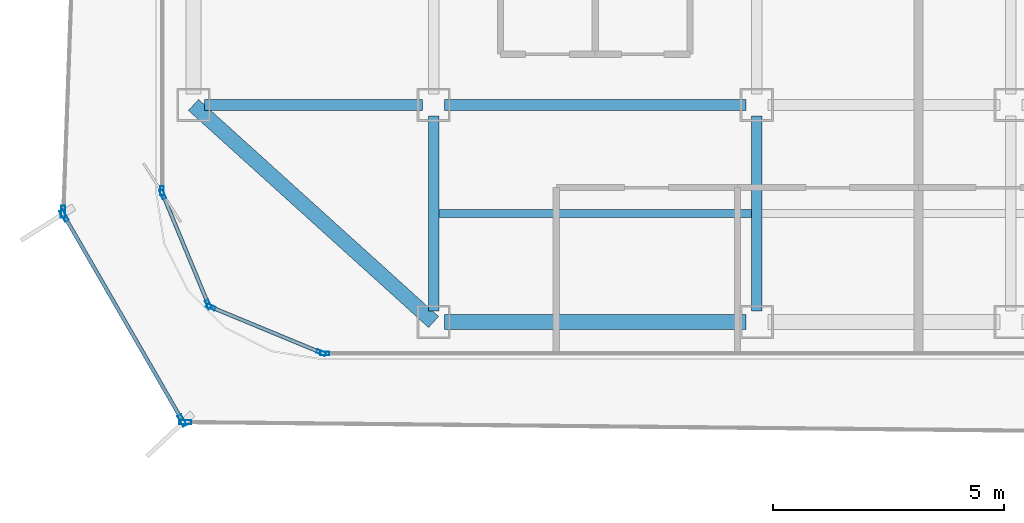
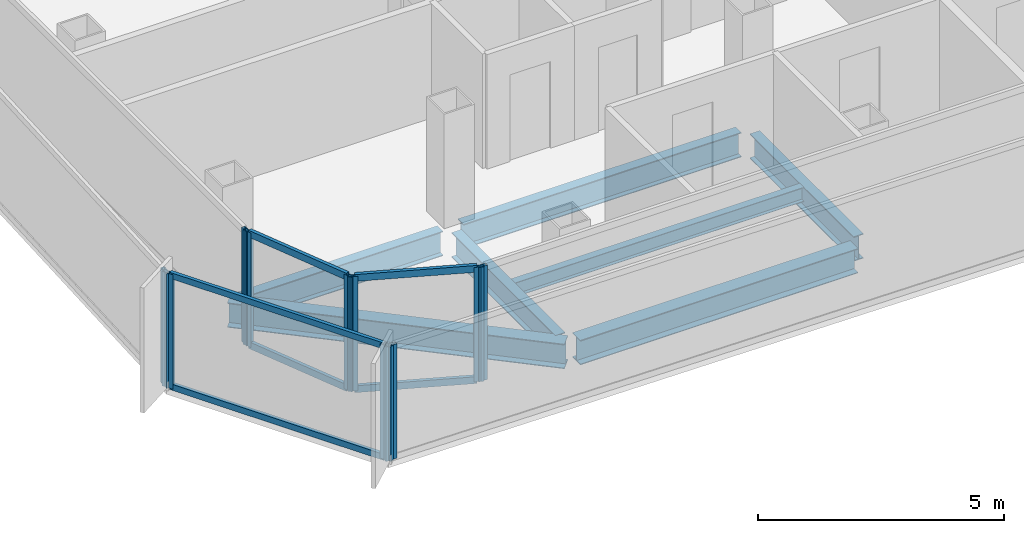
# One storey, part 2 of 16: 16 members, 7 beams, 7 elements without a shape of their own.
"""IFC4 building model written with IfcOpenShell, lengths in metres."""

from ifc_helpers import new_model, si_unit, direction, frame, origin, origin_2d, place, context, subcontext, project, spatial, hollow_rectangle, i_section, extrude, source, transform, mapped, material, layer, layer_set, material_profile, profile_set, type_object, element, aggregate, save


model = new_model("IFC4")

# Units and contexts
model_context = context("Model", 3, precision=1e-05, world=origin(), true_north=direction((0.0, 1.0)))
body_context = subcontext(model_context, "Body", "Model", "MODEL_VIEW")
ifc_project = project(units=[si_unit("LENGTHUNIT", "METRE"), si_unit("AREAUNIT", "SQUARE_METRE"), si_unit("VOLUMEUNIT", "CUBIC_METRE"), si_unit("PLANEANGLEUNIT", "RADIAN"), si_unit("MASSUNIT", "GRAM", prefix="KILO")], contexts=[model_context])

# Site, building, storey
site_placement = place(None, origin())
site = spatial("IfcSite", under=ifc_project, at=site_placement, CompositionType="ELEMENT")
building_placement = place(site_placement, origin())
building = spatial("IfcBuilding", under=site, at=building_placement, Name="Kolveth Station Tower", CompositionType="ELEMENT")
storey_placement = place(building_placement, frame((0.0, 0.0, 212.39990234375)))
storey = spatial("IfcBuildingStorey", under=building, at=storey_placement, Name="L60", CompositionType="ELEMENT", Elevation=212.39990234375)

# Beams
ifc_material_1 = material(Name="Steel S355", Category="steel")
ifc_material_profile_1 = material_profile(ifc_material_1, i_section(OverallWidth=0.323974609375, OverallDepth=0.611083984375, WebThickness=0.0126953125, FlangeThickness=0.01904296875, at=origin_2d()), Name="W610x155")
ifc_profile_set_1 = profile_set([ifc_material_profile_1], Name="Steel S355")
beam_type_1 = type_object("IfcBeamType", Name="Beam_SP2", PredefinedType="SPANDREL", material=ifc_profile_set_1)
shared_shape_1 = source(origin(), body_context, "Body", "SweptSolid", [
    extrude(i_section(OverallWidth=0.323974609375, OverallDepth=0.611083984375, WebThickness=0.0126953125, FlangeThickness=0.01904296875, at=origin_2d()), origin(), (0.0, 0.0, 1.0), 7.00927734375),
])
beam_1_placement = place(storey_placement, frame((0.800048828125, 5.5, -0.555419921875), z_axis=(0.741874009795, -0.670539300557, 0.0), x_axis=(0.670539300557, 0.741874009795, 0.0)))
element("IfcBeam", 1, at=beam_1_placement, inside=storey, type_object=beam_type_1, Name="L60 Corner Edge Girder BM-L60-CNR-SW", PredefinedType="SPANDREL", context=body_context, shape_type="MappedRepresentation", body=[
    mapped(shared_shape_1, transform((0.0, 0.0, 0.0), x_axis=(1.0, 0.0, 0.0), y_axis=(0.0, 1.0, 0.0), z_axis=(0.0, 0.0, 1.0), scale=1.0)),
])
shared_shape_2 = source(origin(), body_context, "Body", "SweptSolid", [
    extrude(i_section(OverallWidth=0.323974609375, OverallDepth=0.611083984375, WebThickness=0.0126953125, FlangeThickness=0.01904296875, at=origin_2d()), origin(), (0.0, 0.0, 1.0), 6.52001953125),
])
beam_2_placement = place(storey_placement, frame((6.239990234375, 0.800048828125, -0.555419921875), z_axis=(1.0, 0.0, 0.0), x_axis=(0.0, 1.0, 0.0)))
element("IfcBeam", 2, at=beam_2_placement, inside=storey, type_object=beam_type_1, Name="L60 Perimeter Spandrel BM-L60-PS-1", PredefinedType="SPANDREL", context=body_context, shape_type="MappedRepresentation", body=[
    mapped(shared_shape_2, transform((0.0, 0.0, 0.0), x_axis=(1.0, 0.0, 0.0), y_axis=(0.0, 1.0, 0.0), z_axis=(0.0, 0.0, 1.0), scale=1.0)),
])
ifc_material_profile_2 = material_profile(ifc_material_1, i_section(OverallWidth=0.22900390625, OverallDepth=0.612060546875, WebThickness=0.011962890625, FlangeThickness=0.01953125, at=origin_2d()), Name="W610x125")
ifc_profile_set_2 = profile_set([ifc_material_profile_2], Name="Steel S355")
beam_type_2 = type_object("IfcBeamType", Name="Beam_B5", PredefinedType="BEAM", material=ifc_profile_set_2)
shared_shape_3 = source(origin(), body_context, "Body", "SweptSolid", [
    extrude(i_section(OverallWidth=0.22900390625, OverallDepth=0.612060546875, WebThickness=0.011962890625, FlangeThickness=0.01953125, at=origin_2d()), origin(), (0.0, 0.0, 1.0), 4.719970703125),
])
beam_3_placement = place(storey_placement, frame((1.0400390625, 5.5, -0.555908203125), z_axis=(1.0, 0.0, 0.0), x_axis=(0.0, 1.0, 0.0)))
element("IfcBeam", 3, at=beam_3_placement, inside=storey, type_object=beam_type_2, Name="L60 Primary Girder BM-L60-GY55-1", PredefinedType="BEAM", context=body_context, shape_type="MappedRepresentation", body=[
    mapped(shared_shape_3, transform((0.0, 0.0, 0.0), x_axis=(1.0, 0.0, 0.0), y_axis=(0.0, 1.0, 0.0), z_axis=(0.0, 0.0, 1.0), scale=1.0)),
])
shared_shape_4 = source(origin(), body_context, "Body", "SweptSolid", [
    extrude(i_section(OverallWidth=0.22900390625, OverallDepth=0.612060546875, WebThickness=0.011962890625, FlangeThickness=0.01953125, at=origin_2d()), origin(), (0.0, 0.0, 1.0), 6.52001953125),
])
beam_4_placement = place(storey_placement, frame((6.239990234375, 5.5, -0.555908203125), z_axis=(1.0, 0.0, 0.0), x_axis=(0.0, 1.0, 0.0)))
element("IfcBeam", 4, at=beam_4_placement, inside=storey, type_object=beam_type_2, Name="L60 Primary Girder BM-L60-GY55-2", PredefinedType="BEAM", context=body_context, shape_type="MappedRepresentation", body=[
    mapped(shared_shape_4, transform((0.0, 0.0, 0.0), x_axis=(1.0, 0.0, 0.0), y_axis=(0.0, 1.0, 0.0), z_axis=(0.0, 0.0, 1.0), scale=1.0)),
])
shared_shape_5 = source(origin(), body_context, "Body", "SweptSolid", [
    extrude(i_section(OverallWidth=0.22900390625, OverallDepth=0.612060546875, WebThickness=0.011962890625, FlangeThickness=0.01953125, at=origin_2d()), origin(), (0.0, 0.0, 1.0), 4.219970703125),
])
for number, where, z_axis, x_axis, name in (
    (5, (6.0, 1.0400390625, -0.555908203125), (0.0, 1.0, 0.0), (-1.0, 0.0, 0.0), "L60 Primary Girder BM-L60-GX60-1"),
    (6, (13.0, 1.0400390625, -0.555908203125), (0.0, 1.0, 0.0), (-1.0, 0.0, 0.0), "L60 Primary Girder BM-L60-GX130-1"),
):
    element("IfcBeam", number, at=place(storey_placement, frame(where, z_axis=z_axis, x_axis=x_axis)), inside=storey, type_object=beam_type_2, Name=name, PredefinedType="BEAM", context=body_context, shape_type="MappedRepresentation", body=[
        mapped(shared_shape_5, transform((0.0, 0.0, 0.0), x_axis=(1.0, 0.0, 0.0), y_axis=(0.0, 1.0, 0.0), z_axis=(0.0, 0.0, 1.0), scale=1.0)),
    ])
ifc_material_profile_3 = material_profile(ifc_material_1, i_section(OverallWidth=0.1708984375, OverallDepth=0.35205078125, WebThickness=0.0068359375, FlangeThickness=0.009765625, at=origin_2d()), Name="W360x44")
ifc_profile_set_3 = profile_set([ifc_material_profile_3], Name="Steel S355")
beam_type_3 = type_object("IfcBeamType", Name="Beam_J2", PredefinedType="JOIST", material=ifc_profile_set_3)
shared_shape_6 = source(origin(), body_context, "Body", "SweptSolid", [
    extrude(i_section(OverallWidth=0.1708984375, OverallDepth=0.35205078125, WebThickness=0.0068359375, FlangeThickness=0.009765625, at=origin_2d()), origin(), (0.0, 0.0, 1.0), 6.77490234375),
])
beam_5_placement = place(storey_placement, frame((6.112548828125, 3.14990234375, -0.42578125), z_axis=(1.0, 0.0, 0.0), x_axis=(0.0, 1.0, 0.0)))
element("IfcBeam", 7, at=beam_5_placement, inside=storey, type_object=beam_type_3, Name="L60 Secondary Joist JST-L60-2-1", PredefinedType="JOIST", context=body_context, shape_type="MappedRepresentation", body=[
    mapped(shared_shape_6, transform((0.0, 0.0, 0.0), x_axis=(1.0, 0.0, 0.0), y_axis=(0.0, 1.0, 0.0), z_axis=(0.0, 0.0, 1.0), scale=1.0)),
])

# Curtain wall, member
ifc_material_2 = material(Name="Aluminium 6063-T6 and low-E dark glass", Category="aluminium")
ifc_layer_1 = layer(ifc_material_2, 0.18994140625)
ifc_layer_set_1 = layer_set([ifc_layer_1], Name="Aluminium 6063-T6 and low-E dark glass")
curtain_wall_type_1 = type_object("IfcCurtainWallType", Name="CurtainWall_CW-Z2", PredefinedType="NOTDEFINED", material=ifc_layer_set_1)
curtain_wall_1_placement = place(storey_placement, origin())
curtain_wall_1 = element("IfcCurtainWall", 8, at=curtain_wall_1_placement, inside=storey, type_object=curtain_wall_type_1, Name="L60 Inner Thermal Curtain Wall 9", PredefinedType="NOTDEFINED")
ifc_material_3 = material(Name="Black anodized aluminium 6063-T6", Category="aluminium")
ifc_material_profile_4 = material_profile(ifc_material_3, hollow_rectangle(XDim=0.080078125, YDim=0.199951171875, WallThickness=0.0048828125, at=origin_2d()), Name="ALU-80x200x5")
ifc_profile_set_4 = profile_set([ifc_material_profile_4], Name="Black anodized aluminium 6063-T6")
member_type_1 = type_object("IfcMemberType", Name="Mullion_ML2", PredefinedType="MULLION", material=ifc_profile_set_4)
shared_shape_7 = source(origin(), body_context, "Body", "SweptSolid", [
    extrude(hollow_rectangle(XDim=0.080078125, YDim=0.199951171875, WallThickness=0.0048828125, at=origin_2d()), origin(), (0.0, 0.0, 1.0), 2.840087890625),
])
member_1_placement = place(storey_placement, frame((0.1201171875, 3.639892578125, 0.0), z_axis=(0.0, 0.0, 1.0), x_axis=(1.0, 0.0, 0.0)))
member_1 = element("IfcMember", 9, at=member_1_placement, type_object=member_type_1, Name="CW-Z2 mullion 2", PredefinedType="MULLION", context=body_context, shape_type="MappedRepresentation", body=[
    mapped(shared_shape_7, transform((0.0, 0.0, 0.0), x_axis=(1.0, 0.0, 0.0), y_axis=(0.0, 1.0, 0.0), z_axis=(0.0, 0.0, 1.0), scale=1.0)),
])
aggregate(curtain_wall_1, [member_1])

# Curtain wall, members
curtain_wall_2_placement = place(storey_placement, origin())
curtain_wall_2 = element("IfcCurtainWall", 10, at=curtain_wall_2_placement, inside=storey, type_object=curtain_wall_type_1, Name="L60 Inner Thermal Curtain Wall 10", PredefinedType="NOTDEFINED")
member_2_placement = place(storey_placement, frame((0.13525390625, 3.56298828125, 0.0), z_axis=(0.0, 0.0, 1.0), x_axis=(0.923873600544, 0.382697753087, 0.0)))
member_2 = element("IfcMember", 11, at=member_2_placement, type_object=member_type_1, Name="CW-Z2 mullion 1", PredefinedType="MULLION", context=body_context, shape_type="MappedRepresentation", body=[
    mapped(shared_shape_7, transform((0.0, 0.0, 0.0), x_axis=(1.0, 0.0, 0.0), y_axis=(0.0, 1.0, 0.0), z_axis=(0.0, 0.0, 1.0), scale=1.0)),
])
member_3_placement = place(storey_placement, frame((1.1240234375, 1.17626953125, 0.0), z_axis=(0.0, 0.0, 1.0), x_axis=(0.923873600544, 0.382697753087, 0.0)))
member_3 = element("IfcMember", 12, at=member_3_placement, type_object=member_type_1, Name="CW-Z2 mullion 2", PredefinedType="MULLION", context=body_context, shape_type="MappedRepresentation", body=[
    mapped(shared_shape_7, transform((0.0, 0.0, 0.0), x_axis=(1.0, 0.0, 0.0), y_axis=(0.0, 1.0, 0.0), z_axis=(0.0, 0.0, 1.0), scale=1.0)),
])

curtain_wall_3_placement = place(storey_placement, origin())
curtain_wall_3 = element("IfcCurtainWall", 13, at=curtain_wall_3_placement, inside=storey, type_object=curtain_wall_type_1, Name="L60 Inner Thermal Curtain Wall 11", PredefinedType="NOTDEFINED")
member_4_placement = place(storey_placement, frame((1.17626953125, 1.1240234375, 0.0), z_axis=(0.0, 0.0, 1.0), x_axis=(0.382697753087, 0.923873600544, 0.0)))
member_4 = element("IfcMember", 14, at=member_4_placement, type_object=member_type_1, Name="CW-Z2 mullion 1", PredefinedType="MULLION", context=body_context, shape_type="MappedRepresentation", body=[
    mapped(shared_shape_7, transform((0.0, 0.0, 0.0), x_axis=(1.0, 0.0, 0.0), y_axis=(0.0, 1.0, 0.0), z_axis=(0.0, 0.0, 1.0), scale=1.0)),
])
member_5_placement = place(storey_placement, frame((3.56298828125, 0.13525390625, 0.0), z_axis=(0.0, 0.0, 1.0), x_axis=(0.382697753087, 0.923873600544, 0.0)))
member_5 = element("IfcMember", 15, at=member_5_placement, type_object=member_type_1, Name="CW-Z2 mullion 2", PredefinedType="MULLION", context=body_context, shape_type="MappedRepresentation", body=[
    mapped(shared_shape_7, transform((0.0, 0.0, 0.0), x_axis=(1.0, 0.0, 0.0), y_axis=(0.0, 1.0, 0.0), z_axis=(0.0, 0.0, 1.0), scale=1.0)),
])

# Curtain wall, member
curtain_wall_4_placement = place(storey_placement, origin())
curtain_wall_4 = element("IfcCurtainWall", 16, at=curtain_wall_4_placement, inside=storey, type_object=curtain_wall_type_1, Name="L60 Inner Thermal Curtain Wall 12", PredefinedType="NOTDEFINED")
member_6_placement = place(storey_placement, frame((3.639892578125, 0.1201171875, 0.0), z_axis=(0.0, 0.0, 1.0), x_axis=(0.0, 1.0, 0.0)))
member_6 = element("IfcMember", 17, at=member_6_placement, type_object=member_type_1, Name="CW-Z2 mullion 1", PredefinedType="MULLION", context=body_context, shape_type="MappedRepresentation", body=[
    mapped(shared_shape_7, transform((0.0, 0.0, 0.0), x_axis=(1.0, 0.0, 0.0), y_axis=(0.0, 1.0, 0.0), z_axis=(0.0, 0.0, 1.0), scale=1.0)),
])
aggregate(curtain_wall_4, [member_6])

ifc_material_4 = material(Name="Black anodized aluminium 6063-T6 and dark solar glass", Category="aluminium")
ifc_layer_2 = layer(ifc_material_4, 0.159912109375)
ifc_layer_set_2 = layer_set([ifc_layer_2], Name="Black anodized aluminium 6063-T6 and dark solar glass")
curtain_wall_type_2 = type_object("IfcCurtainWallType", Name="OUTER SKIN CW-OS", PredefinedType="NOTDEFINED", material=ifc_layer_set_2)
curtain_wall_5_placement = place(storey_placement, origin())
curtain_wall_5 = element("IfcCurtainWall", 18, at=curtain_wall_5_placement, inside=storey, type_object=curtain_wall_type_2, Name="L60 Outer Ventilated Skin Curtain Wall 6", PredefinedType="NOTDEFINED")
ifc_material_profile_5 = material_profile(ifc_material_3, hollow_rectangle(XDim=0.090087890625, YDim=0.260009765625, WallThickness=0.0048828125, at=origin_2d()), Name="ALU-90x260x5")
ifc_profile_set_5 = profile_set([ifc_material_profile_5], Name="Black anodized aluminium 6063-T6")
member_type_2 = type_object("IfcMemberType", Name="FIN MULLION ML-OS", PredefinedType="MULLION", material=ifc_profile_set_5)
shared_shape_8 = source(origin(), body_context, "Body", "SweptSolid", [
    extrude(hollow_rectangle(XDim=0.090087890625, YDim=0.260009765625, WallThickness=0.0048828125, at=origin_2d()), origin(), (0.0, 0.0, 1.0), 2.840087890625),
])
member_7_placement = place(storey_placement, frame((-2.023193359375, 3.18798828125, 0.0), z_axis=(0.0, 0.0, 1.0), x_axis=(0.999341223717, -0.036292128332, 0.0)))
member_7 = element("IfcMember", 19, at=member_7_placement, type_object=member_type_2, Name="CW-OS mullion 2", PredefinedType="MULLION", context=body_context, shape_type="MappedRepresentation", body=[
    mapped(shared_shape_8, transform((0.0, 0.0, 0.0), x_axis=(1.0, 0.0, 0.0), y_axis=(0.0, 1.0, 0.0), z_axis=(0.0, 0.0, 1.0), scale=1.0)),
])
aggregate(curtain_wall_5, [member_7])

# Curtain wall, members
curtain_wall_6_placement = place(storey_placement, origin())
curtain_wall_6 = element("IfcCurtainWall", 20, at=curtain_wall_6_placement, inside=storey, type_object=curtain_wall_type_2, Name="L60 Outer Ventilated Skin Curtain Wall 7", PredefinedType="NOTDEFINED")
member_8_placement = place(storey_placement, frame((-2.002197265625, 3.10400390625, 0.0), z_axis=(0.0, 0.0, 1.0), x_axis=(0.866221364776, 0.499660431899, 0.0)))
member_8 = element("IfcMember", 21, at=member_8_placement, type_object=member_type_2, Name="CW-OS mullion 1", PredefinedType="MULLION", context=body_context, shape_type="MappedRepresentation", body=[
    mapped(shared_shape_8, transform((0.0, 0.0, 0.0), x_axis=(1.0, 0.0, 0.0), y_axis=(0.0, 1.0, 0.0), z_axis=(0.0, 0.0, 1.0), scale=1.0)),
])
member_9_placement = place(storey_placement, frame((0.556396484375, -1.33203125, 0.0), z_axis=(0.0, 0.0, 1.0), x_axis=(0.866221364776, 0.499660431899, 0.0)))
member_9 = element("IfcMember", 22, at=member_9_placement, type_object=member_type_2, Name="CW-OS mullion 2", PredefinedType="MULLION", context=body_context, shape_type="MappedRepresentation", body=[
    mapped(shared_shape_8, transform((0.0, 0.0, 0.0), x_axis=(1.0, 0.0, 0.0), y_axis=(0.0, 1.0, 0.0), z_axis=(0.0, 0.0, 1.0), scale=1.0)),
])

# Curtain wall, member
curtain_wall_7_placement = place(storey_placement, origin())
curtain_wall_7 = element("IfcCurtainWall", 23, at=curtain_wall_7_placement, inside=storey, type_object=curtain_wall_type_2, Name="L60 Outer Ventilated Skin Curtain Wall 8", PredefinedType="NOTDEFINED")
member_10_placement = place(storey_placement, frame((0.6240234375, -1.37158203125, 0.0), z_axis=(0.0, 0.0, 1.0), x_axis=(0.010179725976, 0.999948185247, 0.0)))
member_10 = element("IfcMember", 24, at=member_10_placement, type_object=member_type_2, Name="CW-OS mullion 1", PredefinedType="MULLION", context=body_context, shape_type="MappedRepresentation", body=[
    mapped(shared_shape_8, transform((0.0, 0.0, 0.0), x_axis=(1.0, 0.0, 0.0), y_axis=(0.0, 1.0, 0.0), z_axis=(0.0, 0.0, 1.0), scale=1.0)),
])
aggregate(curtain_wall_7, [member_10])

# Member
ifc_material_profile_6 = material_profile(ifc_material_3, hollow_rectangle(XDim=0.080078125, YDim=0.169921875, WallThickness=0.0048828125, at=origin_2d()), Name="ALU-80x170x5")
ifc_profile_set_6 = profile_set([ifc_material_profile_6], Name="Black anodized aluminium 6063-T6")
member_type_3 = type_object("IfcMemberType", Name="Transom_TR2", PredefinedType="USERDEFINED", material=ifc_profile_set_6)
shared_shape_9 = source(origin(), body_context, "Body", "SweptSolid", [
    extrude(hollow_rectangle(XDim=0.080078125, YDim=0.169921875, WallThickness=0.0048828125, at=origin_2d()), origin(), (0.0, 0.0, 1.0), 2.50341796875),
])
member_11_placement = place(storey_placement, frame((0.150634765625, 3.526123046875, 0.0400390625), z_axis=(0.382661849723, -0.923888472039, 0.0), x_axis=(0.923888472039, 0.382661849723, 0.0)))
member_11 = element("IfcMember", 25, at=member_11_placement, type_object=member_type_3, Name="CW-Z2 transom 1.1", ObjectType="TRANSOM", PredefinedType="USERDEFINED", context=body_context, shape_type="MappedRepresentation", body=[
    mapped(shared_shape_9, transform((0.0, 0.0, 0.0), x_axis=(1.0, 0.0, 0.0), y_axis=(0.0, 1.0, 0.0), z_axis=(0.0, 0.0, 1.0), scale=1.0)),
])

member_12_placement = place(storey_placement, frame((0.150634765625, 3.526123046875, 2.800048828125), z_axis=(0.382661849723, -0.923888472039, 0.0), x_axis=(0.923888472039, 0.382661849723, 0.0)))
member_12 = element("IfcMember", 26, at=member_12_placement, type_object=member_type_3, Name="CW-Z2 transom 1.2", ObjectType="TRANSOM", PredefinedType="USERDEFINED", context=body_context, shape_type="MappedRepresentation", body=[
    mapped(shared_shape_9, transform((0.0, 0.0, 0.0), x_axis=(1.0, 0.0, 0.0), y_axis=(0.0, 1.0, 0.0), z_axis=(0.0, 0.0, 1.0), scale=1.0)),
])

aggregate(curtain_wall_2, [member_2, member_3, member_11, member_12])

member_13_placement = place(storey_placement, frame((1.213134765625, 1.108642578125, 0.0400390625), z_axis=(0.923888472039, -0.382661849723, 0.0), x_axis=(0.382661849723, 0.923888472039, 0.0)))
member_13 = element("IfcMember", 27, at=member_13_placement, type_object=member_type_3, Name="CW-Z2 transom 1.1", ObjectType="TRANSOM", PredefinedType="USERDEFINED", context=body_context, shape_type="MappedRepresentation", body=[
    mapped(shared_shape_9, transform((0.0, 0.0, 0.0), x_axis=(1.0, 0.0, 0.0), y_axis=(0.0, 1.0, 0.0), z_axis=(0.0, 0.0, 1.0), scale=1.0)),
])

member_14_placement = place(storey_placement, frame((1.213134765625, 1.108642578125, 2.800048828125), z_axis=(0.923888472039, -0.382661849723, 0.0), x_axis=(0.382661849723, 0.923888472039, 0.0)))
member_14 = element("IfcMember", 28, at=member_14_placement, type_object=member_type_3, Name="CW-Z2 transom 1.2", ObjectType="TRANSOM", PredefinedType="USERDEFINED", context=body_context, shape_type="MappedRepresentation", body=[
    mapped(shared_shape_9, transform((0.0, 0.0, 0.0), x_axis=(1.0, 0.0, 0.0), y_axis=(0.0, 1.0, 0.0), z_axis=(0.0, 0.0, 1.0), scale=1.0)),
])

aggregate(curtain_wall_3, [member_4, member_5, member_13, member_14])

ifc_material_profile_7 = material_profile(ifc_material_3, hollow_rectangle(XDim=0.080078125, YDim=0.14990234375, WallThickness=0.0048828125, at=origin_2d()), Name="ALU-80x150x5")
ifc_profile_set_7 = profile_set([ifc_material_profile_7], Name="Black anodized aluminium 6063-T6")
member_type_4 = type_object("IfcMemberType", Name="Transom_TR-OS", PredefinedType="USERDEFINED", material=ifc_profile_set_7)
shared_shape_10 = source(origin(), body_context, "Body", "SweptSolid", [
    extrude(hollow_rectangle(XDim=0.080078125, YDim=0.14990234375, WallThickness=0.0048828125, at=origin_2d()), origin(), (0.0, 0.0, 1.0), 5.031005859375),
])
member_15_placement = place(storey_placement, frame((-1.979736328125, 3.06494140625, 0.0400390625), z_axis=(0.499625828832, -0.866241323861, 0.0), x_axis=(0.866241323861, 0.499625828832, 0.0)))
member_15 = element("IfcMember", 29, at=member_15_placement, type_object=member_type_4, Name="CW-OS transom 1.1", ObjectType="TRANSOM", PredefinedType="USERDEFINED", context=body_context, shape_type="MappedRepresentation", body=[
    mapped(shared_shape_10, transform((0.0, 0.0, 0.0), x_axis=(1.0, 0.0, 0.0), y_axis=(0.0, 1.0, 0.0), z_axis=(0.0, 0.0, 1.0), scale=1.0)),
])

member_16_placement = place(storey_placement, frame((-1.979736328125, 3.06494140625, 2.800048828125), z_axis=(0.499625828832, -0.866241323861, 0.0), x_axis=(0.866241323861, 0.499625828832, 0.0)))
member_16 = element("IfcMember", 30, at=member_16_placement, type_object=member_type_4, Name="CW-OS transom 1.2", ObjectType="TRANSOM", PredefinedType="USERDEFINED", context=body_context, shape_type="MappedRepresentation", body=[
    mapped(shared_shape_10, transform((0.0, 0.0, 0.0), x_axis=(1.0, 0.0, 0.0), y_axis=(0.0, 1.0, 0.0), z_axis=(0.0, 0.0, 1.0), scale=1.0)),
])

aggregate(curtain_wall_6, [member_8, member_9, member_15, member_16])

save(model, "model.ifc")
